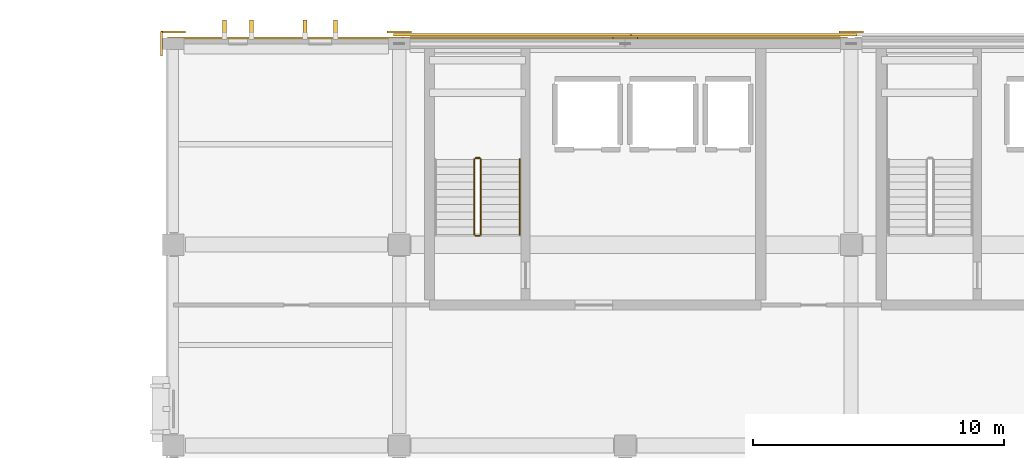
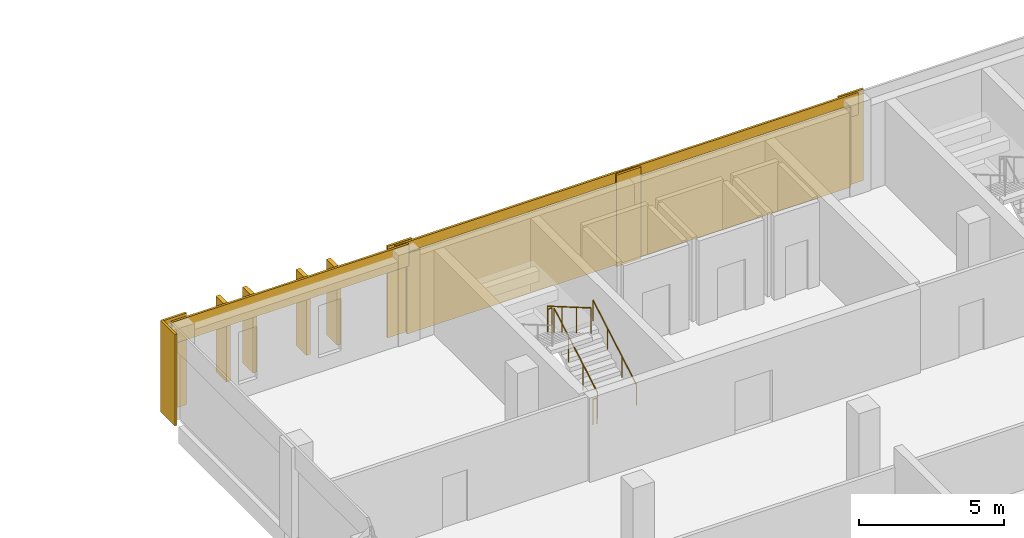
# One storey, part 80 of 85: 10 coverings, 5 railings, 4 shading devices.
"""IFC4 building model written with IfcOpenShell, lengths in metres."""

from ifc_helpers import new_model, si_unit, direction, frame, origin, origin_2d, place, context, subcontext, project, spatial, rectangle, circle, extrude, material, layer, layer_set, type_object, element, save


model = new_model("IFC4")

# Units and contexts
model_context = context("Model", 3, precision=1e-05, world=origin(), true_north=direction((0.0, 1.0)))
body_context = subcontext(model_context, "Body", "Model", "MODEL_VIEW")
ifc_project = project(units=[si_unit("LENGTHUNIT", "METRE"), si_unit("AREAUNIT", "SQUARE_METRE"), si_unit("VOLUMEUNIT", "CUBIC_METRE"), si_unit("PLANEANGLEUNIT", "RADIAN"), si_unit("MASSUNIT", "GRAM", prefix="KILO")], contexts=[model_context])

# Site, building, storey
site_placement = place(None, origin())
site = spatial("IfcSite", under=ifc_project, at=site_placement, CompositionType="ELEMENT")
building_placement = place(site_placement, origin())
building = spatial("IfcBuilding", under=site, at=building_placement, Name="Vervanel Yard Central Library", CompositionType="ELEMENT")
storey_placement = place(building_placement, frame((0.0, 0.0, 5.10009765625)))
storey = spatial("IfcBuildingStorey", under=building, at=storey_placement, Name="L01", CompositionType="ELEMENT", Elevation=5.10009765625)

# Railing
ifc_material_1 = material(Name="Brushed stainless steel AISI 316", Category="steel")
railing_type_1 = type_object("IfcRailingType", Name="Brushed Stainless Stair Handrail 900", PredefinedType="HANDRAIL", material=ifc_material_1)
railing_1_placement = place(storey_placement, frame((49.800048828125, 106.39990234375, 0.174560546875)))
element("IfcRailing", 1, at=railing_1_placement, inside=storey, type_object=railing_type_1, Name="L01 ST-01 stair handrail 1", PredefinedType="HANDRAIL", context=body_context, shape_type="SweptSolid", body=[
    extrude(circle(Radius=0.02392578125, at=origin_2d()), frame((0.0, 0.0, 0.8759765625), z_axis=(0.0, 0.864360011887, 0.502873512775), x_axis=(-1.0, 0.0, 0.0)), (0.0, 0.0, 1.0), 3.470703125),
    extrude(circle(Radius=0.02099609375, at=origin_2d()), origin(), (0.0, 0.0, 1.0), 0.851806640625),
    extrude(circle(Radius=0.02099609375, at=origin_2d()), frame((0.0, 1.0, 0.581787109375)), (0.0, 0.0, 1.0), 0.851806640625),
    extrude(circle(Radius=0.02099609375, at=origin_2d()), frame((0.0, 2.0, 1.16357421875)), (0.0, 0.0, 1.0), 0.851806640625),
    extrude(circle(Radius=0.02099609375, at=origin_2d()), frame((0.0, 3.0, 1.745361328125)), (0.0, 0.0, 1.0), 0.851806640625),
])

# Coverings
ifc_material_2 = material(Name="Precast concrete C45/55", Category="concrete")
ifc_layer = layer(ifc_material_2, 0.0849609375, Category="concrete")
ifc_layer_set = layer_set([ifc_layer], Name="Precast concrete C45/55")
covering_type = type_object("IfcCoveringType", Name="Bush-Hammered Precast Architectural Cladding Panel", PredefinedType="CLADDING", material=ifc_layer_set)
covering_1_placement = place(storey_placement, frame((40.5, 114.22998046875, 2.93017578125), z_axis=(0.0, 0.0, 1.0), x_axis=(1.0, 0.0, 0.0)))
element("IfcCovering", 2, at=covering_1_placement, inside=storey, type_object=covering_type, Name="L01 Precast Concrete Spandrel Cornice EWALL-L01-0019", PredefinedType="CLADDING", context=body_context, shape_type="SweptSolid", body=[
    extrude(rectangle(XDim=9.449951171875, YDim=0.0849609375, at=origin_2d()), origin(), (0.0, 0.0, 1.0), 0.929931640625),
])
for number, where, z_axis, x_axis, name in (
    (3, (36.0, 114.467529296875, 0.0), (0.0, 0.0, 1.0), (1.0, 0.0, 0.0), "L01 Precast Concrete Pier Pilaster EWALL-L01-0019-A"),
    (4, (45.0, 114.467529296875, 0.0), (0.0, 0.0, 1.0), (1.0, 0.0, 0.0), "L01 Precast Concrete Pier Pilaster EWALL-L01-0019-B"),
):
    element("IfcCovering", number, at=place(storey_placement, frame(where, z_axis=z_axis, x_axis=x_axis)), inside=storey, type_object=covering_type, Name=name, PredefinedType="CLADDING", context=body_context, shape_type="SweptSolid", body=[
        extrude(rectangle(XDim=0.97998046875, YDim=0.0849609375, at=origin_2d()), origin(), (0.0, 0.0, 1.0), 3.860107421875),
    ])
covering_2_placement = place(storey_placement, frame((49.5, 114.364990234375, 2.93017578125), z_axis=(0.0, 0.0, 1.0), x_axis=(1.0, 0.0, 0.0)))
element("IfcCovering", 5, at=covering_2_placement, inside=storey, type_object=covering_type, Name="L01 Precast Concrete Spandrel Cornice EWALL-L01-0020", PredefinedType="CLADDING", context=body_context, shape_type="SweptSolid", body=[
    extrude(rectangle(XDim=9.449951171875, YDim=0.0849609375, at=origin_2d()), origin(), (0.0, 0.0, 1.0), 0.929931640625),
])
covering_3_placement = place(storey_placement, frame((54.0, 114.232421875, 0.0), z_axis=(0.0, 0.0, 1.0), x_axis=(1.0, 0.0, 0.0)))
element("IfcCovering", 6, at=covering_3_placement, inside=storey, type_object=covering_type, Name="L01 Precast Concrete Pier Pilaster EWALL-L01-0020-B", PredefinedType="CLADDING", context=body_context, shape_type="SweptSolid", body=[
    extrude(rectangle(XDim=0.97998046875, YDim=0.0849609375, at=origin_2d()), origin(), (0.0, 0.0, 1.0), 3.860107421875),
])
covering_4_placement = place(storey_placement, frame((49.5, 114.232421875, 0.080078125), z_axis=(0.0, 0.0, 1.0), x_axis=(1.0, 0.0, 0.0)))
element("IfcCovering", 7, at=covering_4_placement, inside=storey, type_object=covering_type, Name="L01 Bush-Hammered Precast Cladding EWALL-L01-0020", PredefinedType="CLADDING", context=body_context, shape_type="SweptSolid", body=[
    extrude(rectangle(XDim=8.699951171875, YDim=0.0849609375, at=origin_2d()), origin(), (0.0, 0.0, 1.0), 3.389892578125),
])
covering_5_placement = place(storey_placement, frame((58.5, 114.364990234375, 2.93017578125), z_axis=(0.0, 0.0, 1.0), x_axis=(1.0, 0.0, 0.0)))
element("IfcCovering", 8, at=covering_5_placement, inside=storey, type_object=covering_type, Name="L01 Precast Concrete Spandrel Cornice EWALL-L01-0021", PredefinedType="CLADDING", context=body_context, shape_type="SweptSolid", body=[
    extrude(rectangle(XDim=9.449951171875, YDim=0.0849609375, at=origin_2d()), origin(), (0.0, 0.0, 1.0), 0.929931640625),
])
covering_6_placement = place(storey_placement, frame((63.0, 114.467529296875, 0.0), z_axis=(0.0, 0.0, 1.0), x_axis=(1.0, 0.0, 0.0)))
element("IfcCovering", 9, at=covering_6_placement, inside=storey, type_object=covering_type, Name="L01 Precast Concrete Pier Pilaster EWALL-L01-0021-B", PredefinedType="CLADDING", context=body_context, shape_type="SweptSolid", body=[
    extrude(rectangle(XDim=0.97998046875, YDim=0.0849609375, at=origin_2d()), origin(), (0.0, 0.0, 1.0), 3.860107421875),
])
covering_7_placement = place(storey_placement, frame((58.5, 114.232421875, 0.080078125), z_axis=(0.0, 0.0, 1.0), x_axis=(1.0, 0.0, 0.0)))
element("IfcCovering", 10, at=covering_7_placement, inside=storey, type_object=covering_type, Name="L01 Bush-Hammered Precast Cladding EWALL-L01-0021", PredefinedType="CLADDING", context=body_context, shape_type="SweptSolid", body=[
    extrude(rectangle(XDim=8.699951171875, YDim=0.0849609375, at=origin_2d()), origin(), (0.0, 0.0, 1.0), 3.389892578125),
])
covering_8_placement = place(storey_placement, frame((35.532470703125, 114.0, 0.0), z_axis=(0.0, 0.0, 1.0), x_axis=(0.0, 1.0, 0.0)))
element("IfcCovering", 11, at=covering_8_placement, inside=storey, type_object=covering_type, Name="L01 Precast Concrete Pier Pilaster EWALL-L01-0030-B", PredefinedType="CLADDING", context=body_context, shape_type="SweptSolid", body=[
    extrude(rectangle(XDim=0.97998046875, YDim=0.0849609375, at=origin_2d()), origin(), (0.0, 0.0, 1.0), 3.860107421875),
])

# Railings
ifc_material_3 = material(Name="Galvanized painted steelwork ASTM A500 Grade C", Category="steel")
railing_type_2 = type_object("IfcRailingType", Name="Painted Steel Guardrail 1100", PredefinedType="GUARDRAIL", material=ifc_material_3)
railing_2_placement = place(storey_placement, frame((48.25, 106.39990234375, 0.174560546875)))
element("IfcRailing", 12, at=railing_2_placement, inside=storey, type_object=railing_type_2, Name="L01 ST-01 stair guard 1", PredefinedType="GUARDRAIL", context=body_context, shape_type="SweptSolid", body=[
    extrude(circle(Radius=0.02392578125, at=origin_2d()), frame((0.0, 0.0, 1.076171875), z_axis=(0.0, 0.864360011887, 0.502873512775), x_axis=(-1.0, 0.0, 0.0)), (0.0, 0.0, 1.0), 3.470703125),
    extrude(circle(Radius=0.02099609375, at=origin_2d()), origin(), (0.0, 0.0, 1.0), 1.052001953125),
    extrude(circle(Radius=0.02099609375, at=origin_2d()), frame((0.0, 1.0, 0.581787109375)), (0.0, 0.0, 1.0), 1.052001953125),
    extrude(circle(Radius=0.02099609375, at=origin_2d()), frame((0.0, 2.0, 1.16357421875)), (0.0, 0.0, 1.0), 1.052001953125),
    extrude(circle(Radius=0.02099609375, at=origin_2d()), frame((0.0, 3.0, 1.745361328125)), (0.0, 0.0, 1.0), 1.052001953125),
])
railing_3_placement = place(storey_placement, frame((48.199951171875, 109.449951171875, 1.919921875)))
element("IfcRailing", 13, at=railing_3_placement, inside=storey, type_object=railing_type_2, Name="L01 ST-01 stair guard 2", PredefinedType="GUARDRAIL", context=body_context, shape_type="SweptSolid", body=[
    extrude(circle(Radius=0.02392578125, at=origin_2d()), frame((0.0, 0.0, 1.076171875), z_axis=(-1.0, 0.0, 0.0), x_axis=(0.0, -1.0, 0.0)), (0.0, 0.0, 1.0), 0.159912109375),
    extrude(circle(Radius=0.02099609375, at=origin_2d()), origin(), (0.0, 0.0, 1.0), 1.052001953125),
    extrude(circle(Radius=0.02099609375, at=origin_2d()), frame((-0.159912109375, 0.0, 0.0)), (0.0, 0.0, 1.0), 1.052001953125),
])
railing_4_placement = place(storey_placement, frame((47.989990234375, 109.39990234375, 2.094482421875)))
element("IfcRailing", 14, at=railing_4_placement, inside=storey, type_object=railing_type_2, Name="L01 ST-01 stair guard 3", PredefinedType="GUARDRAIL", context=body_context, shape_type="SweptSolid", body=[
    extrude(circle(Radius=0.02392578125, at=origin_2d()), frame((0.0, 0.0, 1.076171875), z_axis=(0.0, -0.864360011887, 0.502873512775), x_axis=(1.0, 0.0, 0.0)), (0.0, 0.0, 1.0), 3.470703125),
    extrude(circle(Radius=0.02099609375, at=origin_2d()), origin(), (0.0, 0.0, 1.0), 1.052001953125),
    extrude(circle(Radius=0.02099609375, at=origin_2d()), frame((0.0, -1.0, 0.581787109375)), (0.0, 0.0, 1.0), 1.052001953125),
    extrude(circle(Radius=0.02099609375, at=origin_2d()), frame((0.0, -2.0, 1.16357421875)), (0.0, 0.0, 1.0), 1.052001953125),
    extrude(circle(Radius=0.02099609375, at=origin_2d()), frame((0.0, -3.0, 1.745361328125)), (0.0, 0.0, 1.0), 1.052001953125),
])
railing_5_placement = place(storey_placement, frame((48.199951171875, 106.35009765625, 0.0)))
element("IfcRailing", 15, at=railing_5_placement, inside=storey, type_object=railing_type_2, Name="L01 ST-01 stair guard 4", PredefinedType="GUARDRAIL", context=body_context, shape_type="SweptSolid", body=[
    extrude(circle(Radius=0.02392578125, at=origin_2d()), frame((0.0, 0.0, 1.076171875), z_axis=(-1.0, 0.0, 0.0), x_axis=(0.0, -1.0, 0.0)), (0.0, 0.0, 1.0), 0.159912109375),
    extrude(circle(Radius=0.02099609375, at=origin_2d()), origin(), (0.0, 0.0, 1.0), 1.052001953125),
    extrude(circle(Radius=0.02099609375, at=origin_2d()), frame((-0.159912109375, 0.0, 0.0)), (0.0, 0.0, 1.0), 1.052001953125),
])

# Shading devices
shading_device_type = type_object("IfcShadingDeviceType", Name="Vertical Precast Solar Fin 160x720x3200", PredefinedType="JALOUSIE", material=ifc_material_2)
for number, where, z_axis, x_axis, name in (
    (16, (38.0400390625, 114.590087890625, 0.5498046875), (0.0, 0.0, 1.0), (1.0, 0.0, 0.0), "L01 Precast Solar Fin 55"),
    (17, (39.110107421875, 114.590087890625, 0.5498046875), (0.0, 0.0, 1.0), (1.0, 0.0, 0.0), "L01 Precast Solar Fin 56"),
    (18, (41.239990234375, 114.590087890625, 0.5498046875), (0.0, 0.0, 1.0), (1.0, 0.0, 0.0), "L01 Precast Solar Fin 57"),
    (19, (42.4599609375, 114.590087890625, 0.5498046875), (0.0, 0.0, 1.0), (1.0, 0.0, 0.0), "L01 Precast Solar Fin 58"),
):
    element("IfcShadingDevice", number, at=place(storey_placement, frame(where, z_axis=z_axis, x_axis=x_axis)), inside=storey, type_object=shading_device_type, Name=name, PredefinedType="JALOUSIE", context=body_context, shape_type="SweptSolid", body=[
        extrude(rectangle(XDim=0.159912109375, YDim=0.719970703125, at=origin_2d()), origin(), (0.0, 0.0, 1.0), 3.199951171875),
    ])

save(model, "model.ifc")
